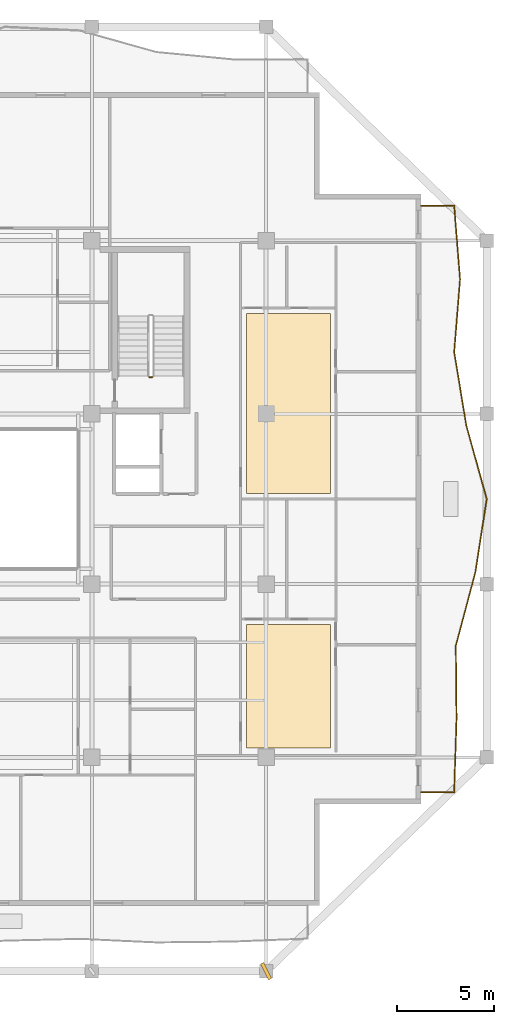
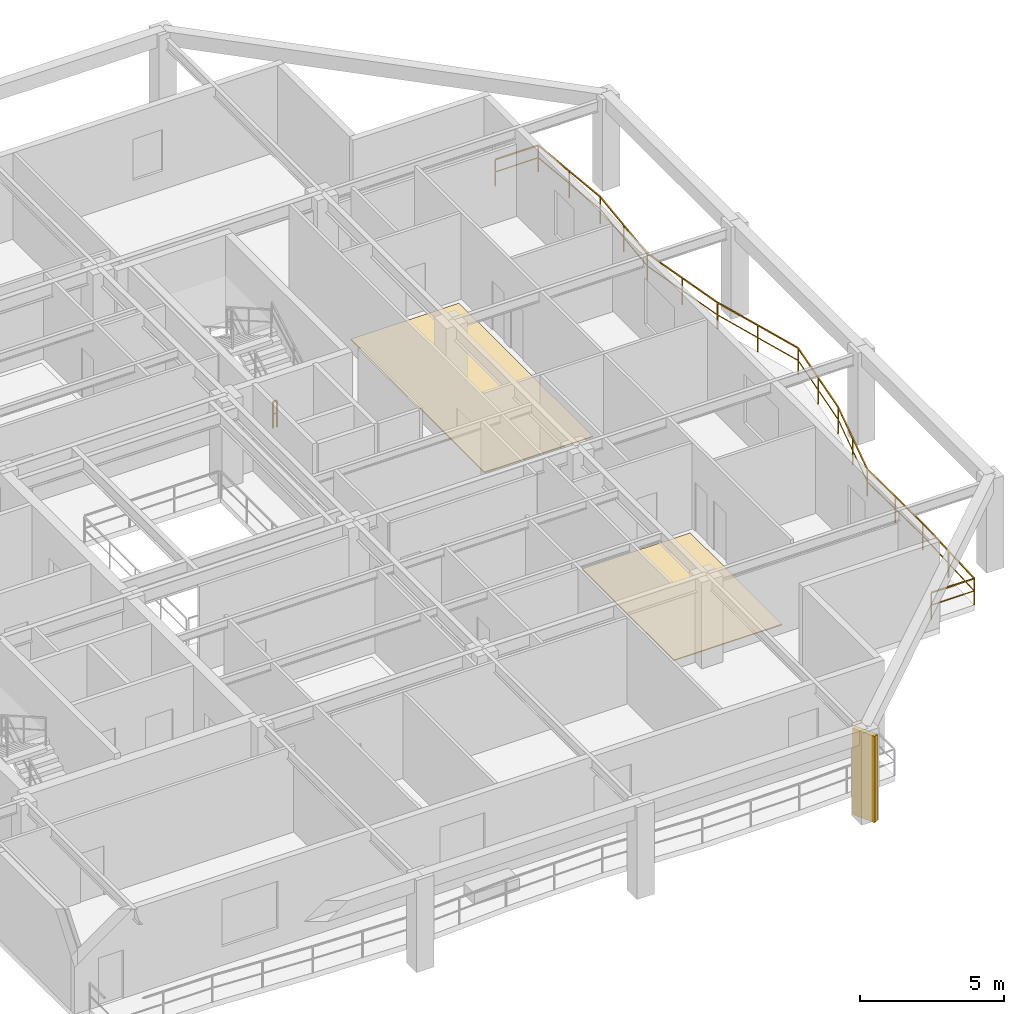
# One storey, part 9 of 11: 2 coverings, 2 railings, 1 shading device.
"""IFC4 building model written with IfcOpenShell, lengths in metres."""

from ifc_helpers import new_model, si_unit, direction, frame, origin, origin_2d, place, context, subcontext, project, spatial, polyline, rectangle, outline, extrude, material, layer, layer_set, type_object, element, save


model = new_model("IFC4")

# Units and contexts
model_context = context("Model", 3, precision=1e-05, world=origin(), true_north=direction((0.0, 1.0)))
body_context = subcontext(model_context, "Body", "Model", "MODEL_VIEW")
ifc_project = project(units=[si_unit("LENGTHUNIT", "METRE"), si_unit("AREAUNIT", "SQUARE_METRE"), si_unit("VOLUMEUNIT", "CUBIC_METRE"), si_unit("PLANEANGLEUNIT", "RADIAN"), si_unit("MASSUNIT", "GRAM", prefix="KILO")], contexts=[model_context])

# Site, building, storey
site_placement = place(None, origin())
site = spatial("IfcSite", under=ifc_project, at=site_placement, CompositionType="ELEMENT")
building_placement = place(site_placement, origin())
building = spatial("IfcBuilding", under=site, at=building_placement, Name="Kundavana Baori Tower", CompositionType="ELEMENT")
storey_placement = place(building_placement, frame((0.0, 0.0, 218.0)))
storey = spatial("IfcBuildingStorey", under=building, at=storey_placement, Name="L53", CompositionType="ELEMENT", Elevation=218.0)

# Coverings
ifc_material_1 = material(Name="Honed Kota Stone and Terrazzo Flooring", Category="masonry")
ifc_layer = layer(ifc_material_1, 0.0400390625, Name="COV-FLR-TERR-40")
ifc_layer_set = layer_set([ifc_layer], Name="Honed Kota Stone and Terrazzo Flooring")
covering_type = type_object("IfcCoveringType", Name="COV-FLR-TERR-40", PredefinedType="FLOORING", material=ifc_layer_set)
covering_1_placement = place(storey_placement, origin())
element("IfcCovering", 1, at=covering_1_placement, inside=storey, type_object=covering_type, Name="L53 Room Finished Stone Flooring 5", PredefinedType="FLOORING", context=body_context, shape_type="SweptSolid", body=[
    extrude(outline(polyline([(41.780029296875, 15.72998046875), (46.1298828125, 15.72998046875), (46.1298828125, 22.1201171875), (41.780029296875, 22.1201171875), (41.780029296875, 15.72998046875)])), origin(), (0.0, 0.0, 1.0), 0.0400390625),
])
covering_2_placement = place(storey_placement, origin())
element("IfcCovering", 2, at=covering_2_placement, inside=storey, type_object=covering_type, Name="L53 Room Finished Stone Flooring 6", PredefinedType="FLOORING", context=body_context, shape_type="SweptSolid", body=[
    extrude(outline(polyline([(41.780029296875, 28.8798828125), (46.1298828125, 28.8798828125), (46.1298828125, 38.18994140625), (41.780029296875, 38.18994140625), (41.780029296875, 28.8798828125)])), origin(), (0.0, 0.0, 1.0), 0.0400390625),
])

# Railings
ifc_material_2 = material(Name="Architectural Patinated Bronze Metalwork")
railing_type_1 = type_object("IfcRailingType", Name="RL-BAL-1150", PredefinedType="BALUSTRADE", material=ifc_material_2)
railing_1_placement = place(storey_placement, frame((50.800048828125, 43.75, 0.0)))
element("IfcRailing", 3, at=railing_1_placement, inside=storey, type_object=railing_type_1, Name="L53 Loggia Balcony Balustrade E", PredefinedType="BALUSTRADE", context=body_context, shape_type="SweptSolid", body=[
    extrude(rectangle(XDim=0.048095703125, YDim=0.048095703125, at=origin_2d()), frame((0.0, 0.0, 1.1259765625), z_axis=(1.0, 0.0, 0.0), x_axis=(0.0, 1.0, 0.0)), (0.0, 0.0, 1.0), 1.719970703125),
    extrude(rectangle(XDim=0.03125, YDim=0.03125, at=origin_2d()), frame((0.0, 0.0, 0.597900390625), z_axis=(1.0, 0.0, 0.0), x_axis=(0.0, 1.0, 0.0)), (0.0, 0.0, 1.0), 1.719970703125),
    extrude(rectangle(XDim=0.048095703125, YDim=0.048095703125, at=origin_2d()), frame((1.719970703125, 0.0, 1.1259765625), z_axis=(0.080238005342, -0.996775733301, 0.0), x_axis=(0.996775733301, 0.080238005342, 0.0)), (0.0, 0.0, 1.0), 3.80029296875),
    extrude(rectangle(XDim=0.03125, YDim=0.03125, at=origin_2d()), frame((1.719970703125, 0.0, 0.597900390625), z_axis=(0.080238005342, -0.996775733301, 0.0), x_axis=(0.996775733301, 0.080238005342, 0.0)), (0.0, 0.0, 1.0), 3.80029296875),
    extrude(rectangle(XDim=0.048095703125, YDim=0.048095703125, at=origin_2d()), frame((2.02490234375, -3.7880859375, 1.1259765625), z_axis=(-0.080008302206, -0.996794197203, 0.0), x_axis=(0.996794197203, -0.080008302206, 0.0)), (0.0, 0.0, 1.0), 3.799072265625),
    extrude(rectangle(XDim=0.03125, YDim=0.03125, at=origin_2d()), frame((2.02490234375, -3.7880859375, 0.597900390625), z_axis=(-0.080008302206, -0.996794197203, 0.0), x_axis=(0.996794197203, -0.080008302206, 0.0)), (0.0, 0.0, 1.0), 3.799072265625),
    extrude(rectangle(XDim=0.048095703125, YDim=0.048095703125, at=origin_2d()), frame((1.720947265625, -7.574951171875, 1.1259765625), z_axis=(0.16437836371, -0.986397360876, 0.0), x_axis=(0.986397360876, 0.16437836371, 0.0)), (0.0, 0.0, 1.0), 3.83935546875),
    extrude(rectangle(XDim=0.03125, YDim=0.03125, at=origin_2d()), frame((1.720947265625, -7.574951171875, 0.597900390625), z_axis=(0.16437836371, -0.986397360876, 0.0), x_axis=(0.986397360876, 0.16437836371, 0.0)), (0.0, 0.0, 1.0), 3.83935546875),
    extrude(rectangle(XDim=0.048095703125, YDim=0.048095703125, at=origin_2d()), frame((2.35205078125, -11.362060546875, 1.1259765625), z_axis=(0.266621660072, -0.963801271207, 0.0), x_axis=(0.963801271207, 0.266621660072, 0.0)), (0.0, 0.0, 1.0), 3.93017578125),
    extrude(rectangle(XDim=0.03125, YDim=0.03125, at=origin_2d()), frame((2.35205078125, -11.362060546875, 0.597900390625), z_axis=(0.266621660072, -0.963801271207, 0.0), x_axis=(0.963801271207, 0.266621660072, 0.0)), (0.0, 0.0, 1.0), 3.93017578125),
    extrude(rectangle(XDim=0.048095703125, YDim=0.048095703125, at=origin_2d()), frame((3.39990234375, -15.14990234375, 1.1259765625), z_axis=(-0.152114624091, -0.988362859044, 0.0), x_axis=(0.988362859044, -0.152114624091, 0.0)), (0.0, 0.0, 1.0), 3.832763671875),
    extrude(rectangle(XDim=0.03125, YDim=0.03125, at=origin_2d()), frame((3.39990234375, -15.14990234375, 0.597900390625), z_axis=(-0.152114624091, -0.988362859044, 0.0), x_axis=(0.988362859044, -0.152114624091, 0.0)), (0.0, 0.0, 1.0), 3.832763671875),
    extrude(rectangle(XDim=0.048095703125, YDim=0.048095703125, at=origin_2d()), frame((2.81689453125, -18.93798828125, 1.1259765625), z_axis=(-0.257922377648, -0.966165641652, 0.0), x_axis=(0.966165641652, -0.257922377648, 0.0)), (0.0, 0.0, 1.0), 3.919677734375),
    extrude(rectangle(XDim=0.03125, YDim=0.03125, at=origin_2d()), frame((2.81689453125, -18.93798828125, 0.597900390625), z_axis=(-0.257922377648, -0.966165641652, 0.0), x_axis=(0.966165641652, -0.257922377648, 0.0)), (0.0, 0.0, 1.0), 3.919677734375),
    extrude(rectangle(XDim=0.048095703125, YDim=0.048095703125, at=origin_2d()), frame((1.805908203125, -22.72509765625, 1.1259765625), z_axis=(0.009799026641, -0.999951988386, 0.0), x_axis=(0.999951988386, 0.009799026641, 0.0)), (0.0, 0.0, 1.0), 3.787109375),
    extrude(rectangle(XDim=0.03125, YDim=0.03125, at=origin_2d()), frame((1.805908203125, -22.72509765625, 0.597900390625), z_axis=(0.009799026641, -0.999951988386, 0.0), x_axis=(0.999951988386, 0.009799026641, 0.0)), (0.0, 0.0, 1.0), 3.787109375),
    extrude(rectangle(XDim=0.048095703125, YDim=0.048095703125, at=origin_2d()), frame((1.843017578125, -26.511962890625, 1.1259765625), z_axis=(-0.03246547565, -0.999472857506, 0.0), x_axis=(0.999472857506, -0.03246547565, 0.0)), (0.0, 0.0, 1.0), 3.7900390625),
    extrude(rectangle(XDim=0.03125, YDim=0.03125, at=origin_2d()), frame((1.843017578125, -26.511962890625, 0.597900390625), z_axis=(-0.03246547565, -0.999472857506, 0.0), x_axis=(0.999472857506, -0.03246547565, 0.0)), (0.0, 0.0, 1.0), 3.7900390625),
    extrude(rectangle(XDim=0.048095703125, YDim=0.048095703125, at=origin_2d()), frame((1.719970703125, -30.300048828125, 1.1259765625), z_axis=(-1.0, 0.0, 0.0), x_axis=(0.0, -1.0, 0.0)), (0.0, 0.0, 1.0), 1.719970703125),
    extrude(rectangle(XDim=0.03125, YDim=0.03125, at=origin_2d()), frame((1.719970703125, -30.300048828125, 0.597900390625), z_axis=(-1.0, 0.0, 0.0), x_axis=(0.0, -1.0, 0.0)), (0.0, 0.0, 1.0), 1.719970703125),
    extrude(rectangle(XDim=0.0419921875, YDim=0.0419921875, at=origin_2d()), origin(), (0.0, 0.0, 1.0), 1.101806640625),
    extrude(rectangle(XDim=0.0419921875, YDim=0.0419921875, at=origin_2d()), frame((1.719970703125, 0.0, 0.0)), (0.0, 0.0, 1.0), 1.101806640625),
    extrude(rectangle(XDim=0.0419921875, YDim=0.0419921875, at=origin_2d()), frame((1.87255859375, -1.89404296875, 0.0)), (0.0, 0.0, 1.0), 1.101806640625),
    extrude(rectangle(XDim=0.0419921875, YDim=0.0419921875, at=origin_2d()), frame((2.02490234375, -3.7880859375, 0.0)), (0.0, 0.0, 1.0), 1.101806640625),
    extrude(rectangle(XDim=0.0419921875, YDim=0.0419921875, at=origin_2d()), frame((1.873046875, -5.681640625, 0.0)), (0.0, 0.0, 1.0), 1.101806640625),
    extrude(rectangle(XDim=0.0419921875, YDim=0.0419921875, at=origin_2d()), frame((1.720947265625, -7.574951171875, 0.0)), (0.0, 0.0, 1.0), 1.101806640625),
    extrude(rectangle(XDim=0.0419921875, YDim=0.0419921875, at=origin_2d()), frame((2.03662109375, -9.468505859375, 0.0)), (0.0, 0.0, 1.0), 1.101806640625),
    extrude(rectangle(XDim=0.0419921875, YDim=0.0419921875, at=origin_2d()), frame((2.35205078125, -11.362060546875, 0.0)), (0.0, 0.0, 1.0), 1.101806640625),
    extrude(rectangle(XDim=0.0419921875, YDim=0.0419921875, at=origin_2d()), frame((2.8759765625, -13.255859375, 0.0)), (0.0, 0.0, 1.0), 1.101806640625),
    extrude(rectangle(XDim=0.0419921875, YDim=0.0419921875, at=origin_2d()), frame((3.39990234375, -15.14990234375, 0.0)), (0.0, 0.0, 1.0), 1.101806640625),
    extrude(rectangle(XDim=0.0419921875, YDim=0.0419921875, at=origin_2d()), frame((3.1083984375, -17.0439453125, 0.0)), (0.0, 0.0, 1.0), 1.101806640625),
    extrude(rectangle(XDim=0.0419921875, YDim=0.0419921875, at=origin_2d()), frame((2.81689453125, -18.93798828125, 0.0)), (0.0, 0.0, 1.0), 1.101806640625),
    extrude(rectangle(XDim=0.0419921875, YDim=0.0419921875, at=origin_2d()), frame((2.3115234375, -20.83154296875, 0.0)), (0.0, 0.0, 1.0), 1.101806640625),
    extrude(rectangle(XDim=0.0419921875, YDim=0.0419921875, at=origin_2d()), frame((1.805908203125, -22.72509765625, 0.0)), (0.0, 0.0, 1.0), 1.101806640625),
    extrude(rectangle(XDim=0.0419921875, YDim=0.0419921875, at=origin_2d()), frame((1.824462890625, -24.61865234375, 0.0)), (0.0, 0.0, 1.0), 1.101806640625),
    extrude(rectangle(XDim=0.0419921875, YDim=0.0419921875, at=origin_2d()), frame((1.843017578125, -26.511962890625, 0.0)), (0.0, 0.0, 1.0), 1.101806640625),
    extrude(rectangle(XDim=0.0419921875, YDim=0.0419921875, at=origin_2d()), frame((1.781494140625, -28.406005859375, 0.0)), (0.0, 0.0, 1.0), 1.101806640625),
    extrude(rectangle(XDim=0.0419921875, YDim=0.0419921875, at=origin_2d()), frame((1.719970703125, -30.300048828125, 0.0)), (0.0, 0.0, 1.0), 1.101806640625),
    extrude(rectangle(XDim=0.0419921875, YDim=0.0419921875, at=origin_2d()), frame((0.0, -30.300048828125, 0.0)), (0.0, 0.0, 1.0), 1.101806640625),
])
ifc_material_3 = material(Name="Architectural Patinated Bronze Metalwork")
railing_type_2 = type_object("IfcRailingType", Name="RL-GRD-1150", PredefinedType="GUARDRAIL", material=ifc_material_3)
railing_2_placement = place(storey_placement, frame((36.929931640625, 34.89990234375, 0.0)))
element("IfcRailing", 4, at=railing_2_placement, inside=storey, type_object=railing_type_2, Name="L53 ST3 stair guard 4", PredefinedType="GUARDRAIL", context=body_context, shape_type="SweptSolid", body=[
    extrude(rectangle(XDim=0.048095703125, YDim=0.048095703125, at=origin_2d()), frame((0.0, 0.0, 1.1259765625), z_axis=(-1.0, 0.0, 0.0), x_axis=(0.0, -1.0, 0.0)), (0.0, 0.0, 1.0), 0.159912109375),
    extrude(rectangle(XDim=0.03125, YDim=0.03125, at=origin_2d()), frame((0.0, 0.0, 0.597900390625), z_axis=(-1.0, 0.0, 0.0), x_axis=(0.0, -1.0, 0.0)), (0.0, 0.0, 1.0), 0.159912109375),
    extrude(rectangle(XDim=0.0419921875, YDim=0.0419921875, at=origin_2d()), origin(), (0.0, 0.0, 1.0), 1.101806640625),
    extrude(rectangle(XDim=0.0419921875, YDim=0.0419921875, at=origin_2d()), frame((-0.159912109375, 0.0, 0.0)), (0.0, 0.0, 1.0), 1.101806640625),
])

# Shading device
ifc_material_4 = material(Name="Red-Buff Dholpur Sandstone Cladding on Concrete C40/50", Category="masonry")
shading_device_type = type_object("IfcShadingDeviceType", Name="SHD-FIN-920", PredefinedType="JALOUSIE", material=ifc_material_4)
shading_device_placement = place(storey_placement, frame((42.800048828125, 4.199951171875, 0.0), z_axis=(0.0, 0.0, 1.0), x_axis=(0.893371388328, 0.449318998616, 0.0)))
element("IfcShadingDevice", 5, at=shading_device_placement, inside=storey, type_object=shading_device_type, Name="L53 Sweeping Dholpur Sandstone Facade Fin 4", PredefinedType="JALOUSIE", context=body_context, shape_type="SweptSolid", body=[
    extrude(rectangle(XDim=0.179931640625, YDim=0.919921875, at=origin_2d()), origin(), (0.0, 0.0, 1.0), 3.659912109375),
])

save(model, "model.ifc")
